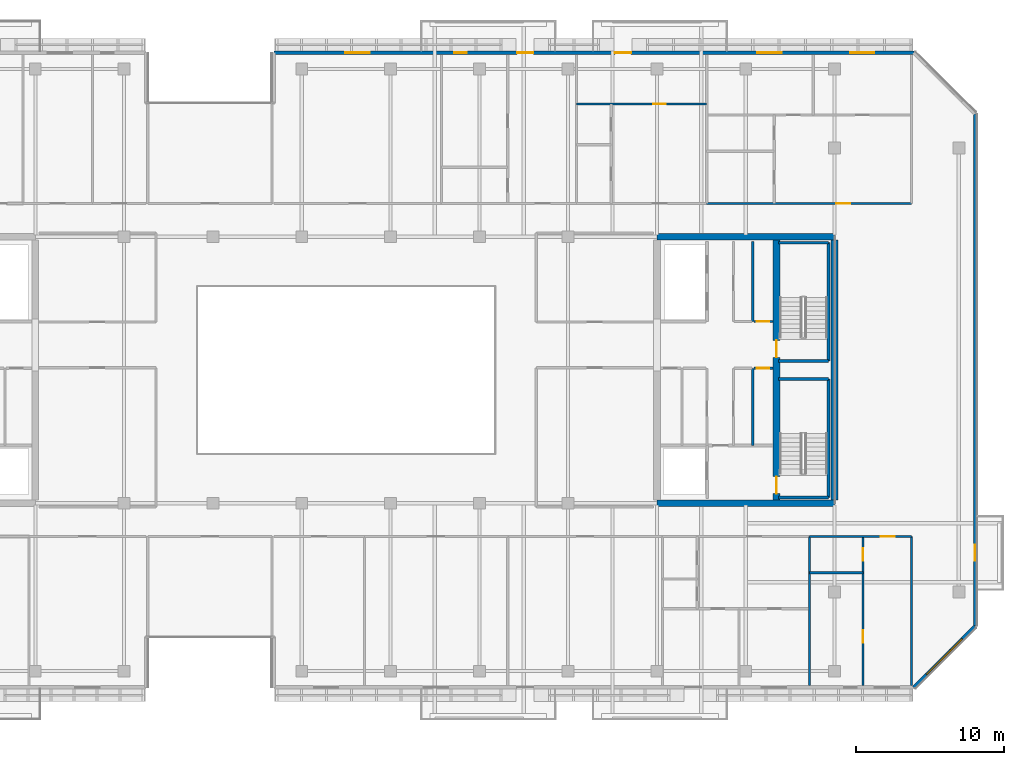
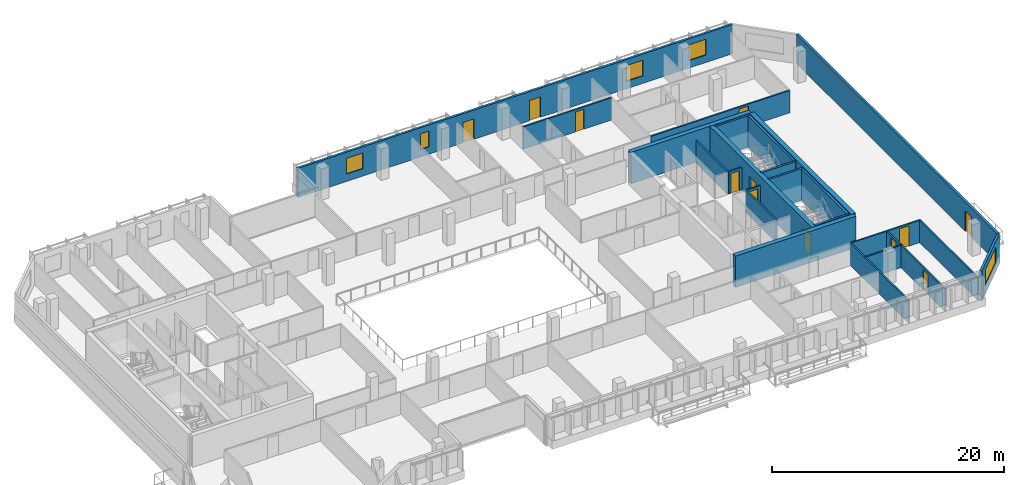
# One storey, part 14 of 22: 24 walls, 12 doors, 5 windows, 17 openings.
"""IFC4 building model written with IfcOpenShell, lengths in metres."""

from ifc_helpers import new_model, si_unit, direction, frame, frame_2d, origin, place, context, subcontext, project, spatial, rectangle, extrude, material, layer, layer_set, type_object, element, fill, save


model = new_model("IFC4")

# Units and contexts
model_context = context("Model", 3, precision=1e-05, world=origin(), true_north=direction((0.0, 1.0)))
body_context = subcontext(model_context, "Body", "Model", "MODEL_VIEW")
ifc_project = project(units=[si_unit("LENGTHUNIT", "METRE"), si_unit("AREAUNIT", "SQUARE_METRE"), si_unit("VOLUMEUNIT", "CUBIC_METRE"), si_unit("PLANEANGLEUNIT", "RADIAN"), si_unit("MASSUNIT", "GRAM", prefix="KILO")], contexts=[model_context])

# Site, building, storey
site_placement = place(None, origin())
site = spatial("IfcSite", under=ifc_project, at=site_placement, CompositionType="ELEMENT")
building_placement = place(site_placement, origin())
building = spatial("IfcBuilding", under=site, at=building_placement, Name="Tanjung Sevakor Pilgrim Tower", CompositionType="ELEMENT")
storey_placement = place(building_placement, frame((0.0, 0.0, 195.030029296875)))
storey = spatial("IfcBuildingStorey", under=building, at=storey_placement, Name="L54", CompositionType="ELEMENT", Elevation=195.030029296875)

# Walls
ifc_material_1 = material(Name="Concrete C60/75", Category="concrete")
ifc_layer_1 = layer(ifc_material_1, 0.449951171875)
ifc_layer_set_1 = layer_set([ifc_layer_1], Name="WALL-CW-450")
wall_type_1 = type_object("IfcWallType", Name="WALL-CW-450", PredefinedType="SHEAR", material=ifc_layer_set_1)
for number, where, z_axis, x_axis, name in (
    (1, (78.0, 24.60009765625, 0.0), (0.0, 0.0, 1.0), (1.0, 0.0, 0.0), "L54 E Core South Shear Wall"),
    (2, (90.0, 42.60009765625, 0.0), (0.0, 0.0, 1.0), (-1.0, 0.0, 0.0), "L54 E Core North Shear Wall"),
):
    element("IfcWall", number, at=place(storey_placement, frame(where, z_axis=z_axis, x_axis=x_axis)), inside=storey, type_object=wall_type_1, Name=name, PredefinedType="SHEAR", context=body_context, shape_type="SweptSolid", body=[
        extrude(rectangle(XDim=12.0, YDim=0.449951171875, at=frame_2d((6.0, 0.0))), origin(), (0.0, 0.0, 1.0), 3.300048828125),
    ])
wall_1_placement = place(storey_placement, frame((90.0, 24.824951171875, 0.0), z_axis=(0.0, 0.0, 1.0), x_axis=(0.0, 1.0, 0.0)))
element("IfcWall", 3, at=wall_1_placement, inside=storey, type_object=wall_type_1, Name="L54 E Core Outer Shear Wall", PredefinedType="SHEAR", context=body_context, shape_type="SweptSolid", body=[
    extrude(rectangle(XDim=17.550048828125, YDim=0.449951171875, at=frame_2d((8.77490234375, 0.0))), origin(), (0.0, 0.0, 1.0), 3.300048828125),
])

# Wall, openings, doors
wall_2_placement = place(storey_placement, frame((86.074951171875, 24.824951171875, 0.0), z_axis=(0.0, 0.0, 1.0), x_axis=(0.0, 1.0, 0.0)))
wall_2 = element("IfcWall", 4, at=wall_2_placement, inside=storey, type_object=wall_type_1, Name="L54 E Core Stair Spine Wall", PredefinedType="SHEAR", context=body_context, shape_type="SweptSolid", body=[
    extrude(rectangle(XDim=17.550048828125, YDim=0.449951171875, at=frame_2d((8.77490234375, 0.0))), origin(), (0.0, 0.0, 1.0), 3.300048828125),
])
opening_1_placement = place(wall_2_placement, frame((0.425048828125, 0.0, 0.0)))
opening_1 = element("IfcOpeningElement", 5, at=opening_1_placement, cuts=wall_2, Name="Opening ID-ST1", PredefinedType="OPENING", context=body_context, shape_type="SweptSolid", body=[
    extrude(rectangle(XDim=1.14990234375, YDim=2.14990234375, at=frame_2d((0.574951171875, 1.074951171875))), frame((0.0, 0.23486328125, 0.0), z_axis=(0.0, -1.0, 0.0), x_axis=(1.0, 0.0, 0.0)), (0.0, 0.0, 1.0), 0.469970703125),
])
opening_2_placement = place(wall_2_placement, frame((9.625, 0.0, 0.0)))
opening_2 = element("IfcOpeningElement", 6, at=opening_2_placement, cuts=wall_2, Name="Opening ID-ST1", PredefinedType="OPENING", context=body_context, shape_type="SweptSolid", body=[
    extrude(rectangle(XDim=1.14990234375, YDim=2.14990234375, at=frame_2d((0.574951171875, 1.074951171875))), frame((0.0, 0.23486328125, 0.0), z_axis=(0.0, -1.0, 0.0), x_axis=(1.0, 0.0, 0.0)), (0.0, 0.0, 1.0), 0.469970703125),
])
ifc_material_2 = material(Name="Fire-Rated Steel S355J2", Category="steel")
door_type_1 = type_object("IfcDoorType", Name="DT-FIRE-1150", OperationType="NOTDEFINED", PredefinedType="DOOR", material=ifc_material_2)
door_1_placement = place(opening_1_placement, origin())
door_1 = element("IfcDoor", 7, at=door_1_placement, inside=storey, type_object=door_type_1, Name="L54 TS-E1 Stair Fire Door", OperationType="SINGLE_SWING_RIGHT", OverallHeight=2.14990234375, OverallWidth=1.14990234375, PredefinedType="DOOR", context=body_context, shape_type="SweptSolid", body=[
    extrude(rectangle(XDim=1.14990234375, YDim=2.14990234375, at=frame_2d((0.574951171875, 1.074951171875))), frame((0.0, 0.02490234375, 0.0), z_axis=(0.0, -1.0, 0.0), x_axis=(1.0, 0.0, 0.0)), (0.0, 0.0, 1.0), 0.050048828125),
])
fill(opening_1, door_1)
door_2_placement = place(opening_2_placement, origin())
door_2 = element("IfcDoor", 8, at=door_2_placement, inside=storey, type_object=door_type_1, Name="L54 TS-E2 Stair Fire Door", OperationType="SINGLE_SWING_LEFT", OverallHeight=2.14990234375, OverallWidth=1.14990234375, PredefinedType="DOOR", context=body_context, shape_type="SweptSolid", body=[
    extrude(rectangle(XDim=1.14990234375, YDim=2.14990234375, at=frame_2d((0.574951171875, 1.074951171875))), frame((0.0, 0.02490234375, 0.0), z_axis=(0.0, -1.0, 0.0), x_axis=(1.0, 0.0, 0.0)), (0.0, 0.0, 1.0), 0.050048828125),
])
fill(opening_2, door_2)

# Wall
ifc_material_3 = material(Name="Concrete C40/50", Category="concrete")
ifc_layer_2 = layer(ifc_material_3, 0.14990234375)
ifc_layer_set_2 = layer_set([ifc_layer_2], Name="WT-COMP-150")
wall_type_2 = type_object("IfcWallType", Name="WT-COMP-150", PredefinedType="SOLIDWALL", material=ifc_layer_set_2)
wall_3_placement = place(storey_placement, frame((84.47998046875, 28.5, 0.0), z_axis=(0.0, 0.0, 1.0), x_axis=(0.0, 1.0, 0.0)))
element("IfcWall", 9, at=wall_3_placement, inside=storey, type_object=wall_type_2, Name="L54 Partition IW-L54-019", PredefinedType="SOLIDWALL", context=body_context, shape_type="SweptSolid", body=[
    extrude(rectangle(XDim=5.219970703125, YDim=0.14990234375, at=frame_2d((2.60986328125, 0.0))), origin(), (0.0, 0.0, 1.0), 2.35009765625),
])

# Wall, opening, door
wall_4_placement = place(storey_placement, frame((84.550048828125, 33.719970703125, 0.0), z_axis=(0.0, 0.0, 1.0), x_axis=(1.0, 0.0, 0.0)))
wall_4 = element("IfcWall", 10, at=wall_4_placement, inside=storey, type_object=wall_type_2, Name="L54 Partition IW-L54-020", PredefinedType="SOLIDWALL", context=body_context, shape_type="SweptSolid", body=[
    extrude(rectangle(XDim=1.280029296875, YDim=0.14990234375, at=frame_2d((0.64013671875, 0.0))), origin(), (0.0, 0.0, 1.0), 2.35009765625),
])
opening_3_placement = place(wall_4_placement, frame((0.179931640625, 0.0, 0.0)))
opening_3 = element("IfcOpeningElement", 11, at=opening_3_placement, cuts=wall_4, Name="Opening ID-FD3", PredefinedType="OPENING", context=body_context, shape_type="SweptSolid", body=[
    extrude(rectangle(XDim=0.85009765625, YDim=2.10009765625, at=frame_2d((0.425048828125, 1.050048828125))), frame((0.0, 0.0849609375, 0.0), z_axis=(0.0, -1.0, 0.0), x_axis=(1.0, 0.0, 0.0)), (0.0, 0.0, 1.0), 0.169921875),
])
ifc_material_4 = material(Name="Fire-Rated Timber", Category="wood")
door_type_2 = type_object("IfcDoorType", Name="DT-FIRE-850", OperationType="NOTDEFINED", PredefinedType="DOOR", material=ifc_material_4)
door_3_placement = place(opening_3_placement, origin())
door_3 = element("IfcDoor", 12, at=door_3_placement, inside=storey, type_object=door_type_2, Name="L54 Cleaner Store Door", OperationType="SINGLE_SWING_RIGHT", OverallHeight=2.10009765625, OverallWidth=0.85009765625, PredefinedType="DOOR", context=body_context, shape_type="SweptSolid", body=[
    extrude(rectangle(XDim=0.85009765625, YDim=2.10009765625, at=frame_2d((0.425048828125, 1.050048828125))), frame((0.0, 0.02490234375, 0.0), z_axis=(0.0, -1.0, 0.0), x_axis=(1.0, 0.0, 0.0)), (0.0, 0.0, 1.0), 0.050048828125),
])
fill(opening_3, door_3)

# Wall
wall_5_placement = place(storey_placement, frame((84.47998046875, 36.8798828125, 0.0), z_axis=(0.0, 0.0, 1.0), x_axis=(0.0, 1.0, 0.0)))
element("IfcWall", 13, at=wall_5_placement, inside=storey, type_object=wall_type_2, Name="L54 Partition IW-L54-027", PredefinedType="SOLIDWALL", context=body_context, shape_type="SweptSolid", body=[
    extrude(rectangle(XDim=5.420166015625, YDim=0.14990234375, at=frame_2d((2.7099609375, 0.0))), origin(), (0.0, 0.0, 1.0), 2.35009765625),
])

# Wall, opening, door
wall_6_placement = place(storey_placement, frame((84.550048828125, 36.8798828125, 0.0), z_axis=(0.0, 0.0, 1.0), x_axis=(1.0, 0.0, 0.0)))
wall_6 = element("IfcWall", 14, at=wall_6_placement, inside=storey, type_object=wall_type_2, Name="L54 Partition IW-L54-028", PredefinedType="SOLIDWALL", context=body_context, shape_type="SweptSolid", body=[
    extrude(rectangle(XDim=1.280029296875, YDim=0.14990234375, at=frame_2d((0.64013671875, 0.0))), origin(), (0.0, 0.0, 1.0), 2.35009765625),
])
opening_4_placement = place(wall_6_placement, frame((0.179931640625, 0.0, 0.0)))
opening_4 = element("IfcOpeningElement", 15, at=opening_4_placement, cuts=wall_6, Name="Opening ID-FD3", PredefinedType="OPENING", context=body_context, shape_type="SweptSolid", body=[
    extrude(rectangle(XDim=0.85009765625, YDim=2.10009765625, at=frame_2d((0.425048828125, 1.050048828125))), frame((0.0, 0.0849609375, 0.0), z_axis=(0.0, -1.0, 0.0), x_axis=(1.0, 0.0, 0.0)), (0.0, 0.0, 1.0), 0.169921875),
])
door_4_placement = place(opening_4_placement, origin())
door_4 = element("IfcDoor", 16, at=door_4_placement, inside=storey, type_object=door_type_2, Name="L54 Service Store Door", OperationType="SINGLE_SWING_RIGHT", OverallHeight=2.10009765625, OverallWidth=0.85009765625, PredefinedType="DOOR", context=body_context, shape_type="SweptSolid", body=[
    extrude(rectangle(XDim=0.85009765625, YDim=2.10009765625, at=frame_2d((0.425048828125, 1.050048828125))), frame((0.0, 0.02490234375, 0.0), z_axis=(0.0, -1.0, 0.0), x_axis=(1.0, 0.0, 0.0)), (0.0, 0.0, 1.0), 0.050048828125),
])
fill(opening_4, door_4)

# Walls
for number, where, z_axis, x_axis, name in (
    (17, (95.199951171875, 12.27001953125, 0.0), (0.0, 0.0, 1.0), (0.0, 1.0, 0.0), "L54 Partition IW-L54-055"),
    (18, (88.3173828125, 12.27001953125, 0.0), (0.0, 0.0, 1.0), (0.0, 1.0, 0.0), "L54 Partition IW-L54-062"),
):
    element("IfcWall", number, at=place(storey_placement, frame(where, z_axis=z_axis, x_axis=x_axis)), inside=storey, type_object=wall_type_2, Name=name, PredefinedType="SOLIDWALL", context=body_context, shape_type="SweptSolid", body=[
        extrude(rectangle(XDim=10.080078125, YDim=0.14990234375, at=frame_2d((5.0400390625, 0.0))), origin(), (0.0, 0.0, 1.0), 2.35009765625),
    ])

# Wall, opening, door
wall_7_placement = place(storey_placement, frame((88.3173828125, 22.35009765625, 0.0), z_axis=(0.0, 0.0, 1.0), x_axis=(1.0, 0.0, 0.0)))
wall_7 = element("IfcWall", 19, at=wall_7_placement, inside=storey, type_object=wall_type_2, Name="L54 Partition IW-L54-070", PredefinedType="SOLIDWALL", context=body_context, shape_type="SweptSolid", body=[
    extrude(rectangle(XDim=6.882568359375, YDim=0.14990234375, at=frame_2d((3.44140625, 0.0))), origin(), (0.0, 0.0, 1.0), 2.35009765625),
])
opening_5_placement = place(wall_7_placement, frame((4.8076171875, 0.0, 0.0)))
opening_5 = element("IfcOpeningElement", 20, at=opening_5_placement, cuts=wall_7, Name="Opening ID-FD2", PredefinedType="OPENING", context=body_context, shape_type="SweptSolid", body=[
    extrude(rectangle(XDim=0.949951171875, YDim=2.14990234375, at=frame_2d((0.47509765625, 1.074951171875))), frame((0.0, 0.0849609375, 0.0), z_axis=(0.0, -1.0, 0.0), x_axis=(1.0, 0.0, 0.0)), (0.0, 0.0, 1.0), 0.169921875),
])
ifc_material_5 = material(Name="Fire-Rated Timber", Category="wood")
door_type_3 = type_object("IfcDoorType", Name="DT-FIRE-950", OperationType="NOTDEFINED", PredefinedType="DOOR", material=ifc_material_5)
door_5_placement = place(opening_5_placement, origin())
door_5 = element("IfcDoor", 21, at=door_5_placement, inside=storey, type_object=door_type_3, Name="Hostel Quad Entrance", OperationType="SINGLE_SWING_RIGHT", OverallHeight=2.14990234375, OverallWidth=0.949951171875, PredefinedType="DOOR", context=body_context, shape_type="SweptSolid", body=[
    extrude(rectangle(XDim=0.949951171875, YDim=2.14990234375, at=frame_2d((0.47509765625, 1.074951171875))), frame((0.0, 0.02490234375, 0.0), z_axis=(0.0, -1.0, 0.0), x_axis=(1.0, 0.0, 0.0)), (0.0, 0.0, 1.0), 0.050048828125),
])
fill(opening_5, door_5)

wall_8_placement = place(storey_placement, frame((81.364013671875, 44.85009765625, 0.0), z_axis=(0.0, 0.0, 1.0), x_axis=(1.0, 0.0, 0.0)))
wall_8 = element("IfcWall", 22, at=wall_8_placement, inside=storey, type_object=wall_type_2, Name="L54 Partition IW-L54-097", PredefinedType="SOLIDWALL", context=body_context, shape_type="SweptSolid", body=[
    extrude(rectangle(XDim=13.8359375, YDim=0.14990234375, at=frame_2d((6.91796875, 0.0))), origin(), (0.0, 0.0, 1.0), 2.35009765625),
])
opening_6_placement = place(wall_8_placement, frame((8.760986328125, 0.0, 0.0)))
opening_6 = element("IfcOpeningElement", 23, at=opening_6_placement, cuts=wall_8, Name="Opening ID-FD2", PredefinedType="OPENING", context=body_context, shape_type="SweptSolid", body=[
    extrude(rectangle(XDim=0.949951171875, YDim=2.14990234375, at=frame_2d((0.47509765625, 1.074951171875))), frame((0.0, 0.0849609375, 0.0), z_axis=(0.0, -1.0, 0.0), x_axis=(1.0, 0.0, 0.0)), (0.0, 0.0, 1.0), 0.169921875),
])
door_6_placement = place(opening_6_placement, origin())
door_6 = element("IfcDoor", 24, at=door_6_placement, inside=storey, type_object=door_type_3, Name="Suite Entrance", OperationType="SINGLE_SWING_LEFT", OverallHeight=2.14990234375, OverallWidth=0.949951171875, PredefinedType="DOOR", context=body_context, shape_type="SweptSolid", body=[
    extrude(rectangle(XDim=0.949951171875, YDim=2.14990234375, at=frame_2d((0.47509765625, 1.074951171875))), frame((0.0, 0.02490234375, 0.0), z_axis=(0.0, -1.0, 0.0), x_axis=(1.0, 0.0, 0.0)), (0.0, 0.0, 1.0), 0.050048828125),
])
fill(opening_6, door_6)

# Wall, opening, window
ifc_material_6 = material(Name="Precast concrete C45/55", Category="concrete")
ifc_layer_3 = layer(ifc_material_6, 0.219970703125)
ifc_layer_set_3 = layer_set([ifc_layer_3], Name="WT-EW-STN4")
wall_type_3 = type_object("IfcWallType", Name="WT-EW-STN4", PredefinedType="SOLIDWALL", material=ifc_layer_set_3)
wall_9_placement = place(storey_placement, frame((95.3544921875, 12.159912109375, 0.0), z_axis=(0.0, 0.0, 1.0), x_axis=(0.707085909342, 0.707127652415, 0.0)))
wall_9 = element("IfcWall", 25, at=wall_9_placement, inside=storey, type_object=wall_type_3, Name="L54 MAIN Sculpted Corner Wall 5", PredefinedType="SOLIDWALL", context=body_context, shape_type="SweptSolid", body=[
    extrude(rectangle(XDim=5.8486328125, YDim=0.219970703125, at=frame_2d((2.92431640625, 0.0))), origin(), (0.0, 0.0, 1.0), 3.080078125),
])
opening_7_placement = place(wall_9_placement, frame((1.224365234375, 0.0, 0.780029296875)))
opening_7 = element("IfcOpeningElement", 26, at=opening_7_placement, cuts=wall_9, Name="Opening WN-CHM-1660", PredefinedType="OPENING", context=body_context, shape_type="SweptSolid", body=[
    extrude(rectangle(XDim=3.39990234375, YDim=1.659912109375, at=frame_2d((1.699951171875, 0.830078125))), frame((0.0, 0.119873046875, 0.0), z_axis=(0.0, -1.0, 0.0), x_axis=(1.0, 0.0, 0.0)), (0.0, 0.0, 1.0), 0.239990234375),
])
ifc_material_7 = material(Name="Thermally Broken Aluminium and Low-E Glass", Category="aluminium")
window_type_1 = type_object("IfcWindowType", Name="WTYP-WN-CHM-1660", PartitioningType="DOUBLE_PANEL_VERTICAL", PredefinedType="WINDOW", material=ifc_material_7)
window_1_placement = place(opening_7_placement, origin())
window_1 = element("IfcWindow", 27, at=window_1_placement, inside=storey, type_object=window_type_1, Name="L54 Facade Window 01", OverallHeight=1.659912109375, OverallWidth=3.39990234375, PartitioningType="SINGLE_PANEL", PredefinedType="WINDOW", context=body_context, shape_type="SweptSolid", body=[
    extrude(rectangle(XDim=3.39990234375, YDim=1.659912109375, at=frame_2d((1.699951171875, 0.830078125))), frame((0.0, 0.030029296875, 0.0), z_axis=(0.0, -1.0, 0.0), x_axis=(1.0, 0.0, 0.0)), (0.0, 0.0, 1.0), 0.06005859375),
])
fill(opening_7, window_1)

# Wall, opening, door
wall_10_placement = place(storey_placement, frame((99.489990234375, 16.295654296875, 0.0), z_axis=(0.0, 0.0, 1.0), x_axis=(0.0, 1.0, 0.0)))
wall_10 = element("IfcWall", 28, at=wall_10_placement, inside=storey, type_object=wall_type_3, Name="L54 MAIN Exterior Wall 7", PredefinedType="SOLIDWALL", context=body_context, shape_type="SweptSolid", body=[
    extrude(rectangle(XDim=34.608642578125, YDim=0.219970703125, at=frame_2d((17.30419921875, 0.0))), origin(), (0.0, 0.0, 1.0), 3.080078125),
])
opening_8_placement = place(wall_10_placement, frame((4.404296875, 0.0, 0.0)))
opening_8 = element("IfcOpeningElement", 29, at=opening_8_placement, cuts=wall_10, Name="Opening ED-BAL-1100", PredefinedType="OPENING", context=body_context, shape_type="SweptSolid", body=[
    extrude(rectangle(XDim=1.10009765625, YDim=2.14990234375, at=frame_2d((0.550048828125, 1.074951171875))), frame((0.0, 0.119873046875, 0.0), z_axis=(0.0, -1.0, 0.0), x_axis=(1.0, 0.0, 0.0)), (0.0, 0.0, 1.0), 0.239990234375),
])
ifc_material_8 = material(Name="Anodised Aluminium and Laminated Glass", Category="aluminium")
door_type_4 = type_object("IfcDoorType", Name="DTYP-ED-BAL-1100", OperationType="NOTDEFINED", PredefinedType="DOOR", material=ifc_material_8)
door_7_placement = place(opening_8_placement, frame((1.10009765625, 0.0, 0.0), z_axis=(0.0, 0.0, 1.0), x_axis=(-1.0, 0.0, 0.0)))
door_7 = element("IfcDoor", 30, at=door_7_placement, inside=storey, type_object=door_type_4, Name="L54 East Loggia Door MAIN-E1", OperationType="SINGLE_SWING_RIGHT", OverallHeight=2.14990234375, OverallWidth=1.10009765625, PredefinedType="DOOR", context=body_context, shape_type="SweptSolid", body=[
    extrude(rectangle(XDim=1.10009765625, YDim=2.14990234375, at=frame_2d((0.550048828125, 1.074951171875))), frame((0.0, 0.02490234375, 0.0), z_axis=(0.0, -1.0, 0.0), x_axis=(1.0, 0.0, 0.0)), (0.0, 0.0, 1.0), 0.050048828125),
])
fill(opening_8, door_7)

# Wall, openings, doors, windows
wall_11_placement = place(storey_placement, frame((95.3544921875, 55.0400390625, 0.0), z_axis=(0.0, 0.0, 1.0), x_axis=(-1.0, 0.0, 0.0)))
wall_11 = element("IfcWall", 31, at=wall_11_placement, inside=storey, type_object=wall_type_3, Name="L54 MAIN Exterior Wall 9", PredefinedType="SOLIDWALL", context=body_context, shape_type="SweptSolid", body=[
    extrude(rectangle(XDim=43.244384765625, YDim=0.219970703125, at=frame_2d((21.6220703125, 0.0))), origin(), (0.0, 0.0, 1.0), 3.080078125),
])
opening_9_placement = place(wall_11_placement, frame((25.704345703125, 0.0, 0.0)))
opening_9 = element("IfcOpeningElement", 32, at=opening_9_placement, cuts=wall_11, Name="Opening ED-BAL-1100", PredefinedType="OPENING", context=body_context, shape_type="SweptSolid", body=[
    extrude(rectangle(XDim=1.10009765625, YDim=2.14990234375, at=frame_2d((0.550048828125, 1.074951171875))), frame((0.0, 0.119873046875, 0.0), z_axis=(0.0, -1.0, 0.0), x_axis=(1.0, 0.0, 0.0)), (0.0, 0.0, 1.0), 0.239990234375),
])
opening_10_placement = place(wall_11_placement, frame((19.1044921875, 0.0, 0.0)))
opening_10 = element("IfcOpeningElement", 33, at=opening_10_placement, cuts=wall_11, Name="Opening ED-BAL-1100", PredefinedType="OPENING", context=body_context, shape_type="SweptSolid", body=[
    extrude(rectangle(XDim=1.10009765625, YDim=2.14990234375, at=frame_2d((0.550048828125, 1.074951171875))), frame((0.0, 0.119873046875, 0.0), z_axis=(0.0, -1.0, 0.0), x_axis=(1.0, 0.0, 0.0)), (0.0, 0.0, 1.0), 0.239990234375),
])
opening_11_placement = place(wall_11_placement, frame((36.749267578125, 0.0, 0.780029296875)))
opening_11 = element("IfcOpeningElement", 34, at=opening_11_placement, cuts=wall_11, Name="Opening WN-Z4-1660", PredefinedType="OPENING", context=body_context, shape_type="SweptSolid", body=[
    extrude(rectangle(XDim=1.64990234375, YDim=1.659912109375, at=frame_2d((0.824951171875, 0.830078125))), frame((0.0, 0.119873046875, 0.0), z_axis=(0.0, -1.0, 0.0), x_axis=(1.0, 0.0, 0.0)), (0.0, 0.0, 1.0), 0.239990234375),
])
opening_12_placement = place(wall_11_placement, frame((30.19921875, 0.0, 0.780029296875)))
opening_12 = element("IfcOpeningElement", 35, at=opening_12_placement, cuts=wall_11, Name="Opening WN-SLM", PredefinedType="OPENING", context=body_context, shape_type="SweptSolid", body=[
    extrude(rectangle(XDim=0.85009765625, YDim=1.64990234375, at=frame_2d((0.425048828125, 0.824951171875))), frame((0.0, 0.119873046875, 0.0), z_axis=(0.0, -1.0, 0.0), x_axis=(1.0, 0.0, 0.0)), (0.0, 0.0, 1.0), 0.239990234375),
])
opening_13_placement = place(wall_11_placement, frame((8.91796875, 0.0, 0.780029296875)))
opening_13 = element("IfcOpeningElement", 36, at=opening_13_placement, cuts=wall_11, Name="Opening WN-Z4-1660", PredefinedType="OPENING", context=body_context, shape_type="SweptSolid", body=[
    extrude(rectangle(XDim=1.64990234375, YDim=1.659912109375, at=frame_2d((0.824951171875, 0.830078125))), frame((0.0, 0.119873046875, 0.0), z_axis=(0.0, -1.0, 0.0), x_axis=(1.0, 0.0, 0.0)), (0.0, 0.0, 1.0), 0.239990234375),
])
opening_14_placement = place(wall_11_placement, frame((2.659912109375, 0.0, 0.780029296875)))
opening_14 = element("IfcOpeningElement", 37, at=opening_14_placement, cuts=wall_11, Name="Opening WN-Z4-1660", PredefinedType="OPENING", context=body_context, shape_type="SweptSolid", body=[
    extrude(rectangle(XDim=1.64990234375, YDim=1.659912109375, at=frame_2d((0.824951171875, 0.830078125))), frame((0.0, 0.119873046875, 0.0), z_axis=(0.0, -1.0, 0.0), x_axis=(1.0, 0.0, 0.0)), (0.0, 0.0, 1.0), 0.239990234375),
])
door_8_placement = place(opening_9_placement, frame((1.10009765625, 0.0, 0.0), z_axis=(0.0, 0.0, 1.0), x_axis=(-1.0, 0.0, 0.0)))
door_8 = element("IfcDoor", 38, at=door_8_placement, inside=storey, type_object=door_type_4, Name="L54 Balcony Door MAIN-N2", OperationType="SINGLE_SWING_LEFT", OverallHeight=2.14990234375, OverallWidth=1.10009765625, PredefinedType="DOOR", context=body_context, shape_type="SweptSolid", body=[
    extrude(rectangle(XDim=1.10009765625, YDim=2.14990234375, at=frame_2d((0.550048828125, 1.074951171875))), frame((0.0, 0.02490234375, 0.0), z_axis=(0.0, -1.0, 0.0), x_axis=(1.0, 0.0, 0.0)), (0.0, 0.0, 1.0), 0.050048828125),
])
fill(opening_9, door_8)
door_9_placement = place(opening_10_placement, frame((1.10009765625, 0.0, 0.0), z_axis=(0.0, 0.0, 1.0), x_axis=(-1.0, 0.0, 0.0)))
door_9 = element("IfcDoor", 39, at=door_9_placement, inside=storey, type_object=door_type_4, Name="L54 Balcony Door MAIN-N3", OperationType="SINGLE_SWING_RIGHT", OverallHeight=2.14990234375, OverallWidth=1.10009765625, PredefinedType="DOOR", context=body_context, shape_type="SweptSolid", body=[
    extrude(rectangle(XDim=1.10009765625, YDim=2.14990234375, at=frame_2d((0.550048828125, 1.074951171875))), frame((0.0, 0.02490234375, 0.0), z_axis=(0.0, -1.0, 0.0), x_axis=(1.0, 0.0, 0.0)), (0.0, 0.0, 1.0), 0.050048828125),
])
fill(opening_10, door_9)
ifc_material_9 = material(Name="Thermally Broken Aluminium and Low-E Glass", Category="aluminium")
window_type_2 = type_object("IfcWindowType", Name="WTYP-WN-SLM", PartitioningType="SINGLE_PANEL", PredefinedType="WINDOW", material=ifc_material_9)
window_2_placement = place(opening_12_placement, origin())
window_2 = element("IfcWindow", 40, at=window_2_placement, inside=storey, type_object=window_type_2, Name="L54 Facade Window 02", OverallHeight=1.64990234375, OverallWidth=0.85009765625, PartitioningType="SINGLE_PANEL", PredefinedType="WINDOW", context=body_context, shape_type="SweptSolid", body=[
    extrude(rectangle(XDim=0.85009765625, YDim=1.64990234375, at=frame_2d((0.425048828125, 0.824951171875))), frame((0.0, 0.030029296875, 0.0), z_axis=(0.0, -1.0, 0.0), x_axis=(1.0, 0.0, 0.0)), (0.0, 0.0, 1.0), 0.06005859375),
])
fill(opening_12, window_2)
ifc_material_10 = material(Name="Thermally Broken Aluminium and Low-E Glass", Category="aluminium")
window_type_3 = type_object("IfcWindowType", Name="WTYP-WN-Z4-1660", PartitioningType="DOUBLE_PANEL_VERTICAL", PredefinedType="WINDOW", material=ifc_material_10)
window_3_placement = place(opening_11_placement, origin())
window_3 = element("IfcWindow", 41, at=window_3_placement, inside=storey, type_object=window_type_3, Name="L54 Facade Window 01", OverallHeight=1.659912109375, OverallWidth=1.64990234375, PartitioningType="SINGLE_PANEL", PredefinedType="WINDOW", context=body_context, shape_type="SweptSolid", body=[
    extrude(rectangle(XDim=1.64990234375, YDim=1.659912109375, at=frame_2d((0.824951171875, 0.830078125))), frame((0.0, 0.030029296875, 0.0), z_axis=(0.0, -1.0, 0.0), x_axis=(1.0, 0.0, 0.0)), (0.0, 0.0, 1.0), 0.06005859375),
])
fill(opening_11, window_3)
window_4_placement = place(opening_13_placement, origin())
window_4 = element("IfcWindow", 42, at=window_4_placement, inside=storey, type_object=window_type_3, Name="L54 Facade Window 03", OverallHeight=1.659912109375, OverallWidth=1.64990234375, PartitioningType="SINGLE_PANEL", PredefinedType="WINDOW", context=body_context, shape_type="SweptSolid", body=[
    extrude(rectangle(XDim=1.64990234375, YDim=1.659912109375, at=frame_2d((0.824951171875, 0.830078125))), frame((0.0, 0.030029296875, 0.0), z_axis=(0.0, -1.0, 0.0), x_axis=(1.0, 0.0, 0.0)), (0.0, 0.0, 1.0), 0.06005859375),
])
fill(opening_13, window_4)
window_5_placement = place(opening_14_placement, origin())
window_5 = element("IfcWindow", 43, at=window_5_placement, inside=storey, type_object=window_type_3, Name="L54 Facade Window 04", OverallHeight=1.659912109375, OverallWidth=1.64990234375, PartitioningType="SINGLE_PANEL", PredefinedType="WINDOW", context=body_context, shape_type="SweptSolid", body=[
    extrude(rectangle(XDim=1.64990234375, YDim=1.659912109375, at=frame_2d((0.824951171875, 0.830078125))), frame((0.0, 0.030029296875, 0.0), z_axis=(0.0, -1.0, 0.0), x_axis=(1.0, 0.0, 0.0)), (0.0, 0.0, 1.0), 0.06005859375),
])
fill(opening_14, window_5)

# Walls
ifc_material_11 = material(Name="Concrete C40/50", Category="concrete")
ifc_layer_4 = layer(ifc_material_11, 0.199951171875)
ifc_layer_set_4 = layer_set([ifc_layer_4], Name="WT-FIRE-200")
wall_type_4 = type_object("IfcWallType", Name="WT-FIRE-200", PredefinedType="SOLIDWALL", material=ifc_layer_set_4)
wall_12_placement = place(storey_placement, frame((86.199951171875, 25.0, 0.0), z_axis=(0.0, 0.0, 1.0), x_axis=(1.0, 0.0, 0.0)))
element("IfcWall", 44, at=wall_12_placement, inside=storey, type_object=wall_type_4, Name="L54 TS-E1 Shaft Wall 1", PredefinedType="SOLIDWALL", context=body_context, shape_type="SweptSolid", body=[
    extrude(rectangle(XDim=3.400146484375, YDim=0.199951171875, at=frame_2d((1.7001953125, 0.0))), origin(), (0.0, 0.0, 1.0), 3.300048828125),
])
wall_13_placement = place(storey_placement, frame((89.60009765625, 25.0, 0.0), z_axis=(0.0, 0.0, 1.0), x_axis=(0.0, 1.0, 0.0)))
element("IfcWall", 45, at=wall_13_placement, inside=storey, type_object=wall_type_4, Name="L54 TS-E1 Shaft Wall 2", PredefinedType="SOLIDWALL", context=body_context, shape_type="SweptSolid", body=[
    extrude(rectangle(XDim=8.0, YDim=0.199951171875, at=frame_2d((4.0, 0.0))), origin(), (0.0, 0.0, 1.0), 3.300048828125),
])
for number, where, z_axis, x_axis, name in (
    (46, (89.60009765625, 33.0, 0.0), (0.0, 0.0, 1.0), (-1.0, 0.0, 0.0), "L54 TS-E1 Shaft Wall 3"),
    (47, (86.199951171875, 34.199951171875, 0.0), (0.0, 0.0, 1.0), (1.0, 0.0, 0.0), "L54 TS-E2 Shaft Wall 1"),
):
    element("IfcWall", number, at=place(storey_placement, frame(where, z_axis=z_axis, x_axis=x_axis)), inside=storey, type_object=wall_type_4, Name=name, PredefinedType="SOLIDWALL", context=body_context, shape_type="SweptSolid", body=[
        extrude(rectangle(XDim=3.400146484375, YDim=0.199951171875, at=frame_2d((1.7001953125, 0.0))), origin(), (0.0, 0.0, 1.0), 3.300048828125),
    ])
wall_14_placement = place(storey_placement, frame((89.60009765625, 34.199951171875, 0.0), z_axis=(0.0, 0.0, 1.0), x_axis=(0.0, 1.0, 0.0)))
element("IfcWall", 48, at=wall_14_placement, inside=storey, type_object=wall_type_4, Name="L54 TS-E2 Shaft Wall 2", PredefinedType="SOLIDWALL", context=body_context, shape_type="SweptSolid", body=[
    extrude(rectangle(XDim=8.0, YDim=0.199951171875, at=frame_2d((4.0, 0.0))), origin(), (0.0, 0.0, 1.0), 3.300048828125),
])
wall_15_placement = place(storey_placement, frame((89.60009765625, 42.199951171875, 0.0), z_axis=(0.0, 0.0, 1.0), x_axis=(-1.0, 0.0, 0.0)))
element("IfcWall", 49, at=wall_15_placement, inside=storey, type_object=wall_type_4, Name="L54 TS-E2 Shaft Wall 3", PredefinedType="SOLIDWALL", context=body_context, shape_type="SweptSolid", body=[
    extrude(rectangle(XDim=3.400146484375, YDim=0.199951171875, at=frame_2d((1.7001953125, 0.0))), origin(), (0.0, 0.0, 1.0), 3.300048828125),
])
ifc_material_12 = material(Name="Gypsum Board Partition", Category="gypsum board")
ifc_layer_5 = layer(ifc_material_12, 0.14990234375)
ifc_layer_set_5 = layer_set([ifc_layer_5], Name="WT-PART-150")
wall_type_5 = type_object("IfcWallType", Name="WT-PART-150", PredefinedType="PARTITIONING", material=ifc_layer_set_5)
wall_16_placement = place(storey_placement, frame((88.3173828125, 19.89990234375, 0.0), z_axis=(0.0, 0.0, 1.0), x_axis=(1.0, 0.0, 0.0)))
element("IfcWall", 50, at=wall_16_placement, inside=storey, type_object=wall_type_5, Name="L54 Partition IW-L54-068", PredefinedType="PARTITIONING", context=body_context, shape_type="SweptSolid", body=[
    extrude(rectangle(XDim=3.6025390625, YDim=0.14990234375, at=frame_2d((1.80126953125, 0.0))), origin(), (0.0, 0.0, 1.0), 2.35009765625),
])

# Wall, openings, doors
wall_17_placement = place(storey_placement, frame((91.919921875, 12.27001953125, 0.0), z_axis=(0.0, 0.0, 1.0), x_axis=(0.0, 1.0, 0.0)))
wall_17 = element("IfcWall", 51, at=wall_17_placement, inside=storey, type_object=wall_type_5, Name="L54 Partition IW-L54-069", PredefinedType="PARTITIONING", context=body_context, shape_type="SweptSolid", body=[
    extrude(rectangle(XDim=10.080078125, YDim=0.14990234375, at=frame_2d((5.0400390625, 0.0))), origin(), (0.0, 0.0, 1.0), 2.35009765625),
])
opening_15_placement = place(wall_17_placement, frame((2.912109375, 0.0, 0.0)))
opening_15 = element("IfcOpeningElement", 52, at=opening_15_placement, cuts=wall_17, Name="Opening ID-WC1", PredefinedType="OPENING", context=body_context, shape_type="SweptSolid", body=[
    extrude(rectangle(XDim=0.85009765625, YDim=2.10009765625, at=frame_2d((0.425048828125, 1.050048828125))), frame((0.0, 0.0849609375, 0.0), z_axis=(0.0, -1.0, 0.0), x_axis=(1.0, 0.0, 0.0)), (0.0, 0.0, 1.0), 0.169921875),
])
opening_16_placement = place(wall_17_placement, frame((8.429931640625, 0.0, 0.0)))
opening_16 = element("IfcOpeningElement", 53, at=opening_16_placement, cuts=wall_17, Name="Opening ID-WC1", PredefinedType="OPENING", context=body_context, shape_type="SweptSolid", body=[
    extrude(rectangle(XDim=0.85009765625, YDim=2.10009765625, at=frame_2d((0.425048828125, 1.050048828125))), frame((0.0, 0.0849609375, 0.0), z_axis=(0.0, -1.0, 0.0), x_axis=(1.0, 0.0, 0.0)), (0.0, 0.0, 1.0), 0.169921875),
])
ifc_material_13 = material(Name="Moisture-Resistant Timber", Category="wood")
door_type_5 = type_object("IfcDoorType", Name="DT-INT-850", OperationType="NOTDEFINED", PredefinedType="DOOR", material=ifc_material_13)
door_10_placement = place(opening_15_placement, origin())
door_10 = element("IfcDoor", 54, at=door_10_placement, inside=storey, type_object=door_type_5, Name="Study Nook Door", OperationType="SINGLE_SWING_RIGHT", OverallHeight=2.10009765625, OverallWidth=0.85009765625, PredefinedType="DOOR", context=body_context, shape_type="SweptSolid", body=[
    extrude(rectangle(XDim=0.85009765625, YDim=2.10009765625, at=frame_2d((0.425048828125, 1.050048828125))), frame((0.0, 0.02490234375, 0.0), z_axis=(0.0, -1.0, 0.0), x_axis=(1.0, 0.0, 0.0)), (0.0, 0.0, 1.0), 0.050048828125),
])
fill(opening_15, door_10)
door_11_placement = place(opening_16_placement, origin())
door_11 = element("IfcDoor", 55, at=door_11_placement, inside=storey, type_object=door_type_5, Name="Bathroom Door", OperationType="SINGLE_SWING_LEFT", OverallHeight=2.10009765625, OverallWidth=0.85009765625, PredefinedType="DOOR", context=body_context, shape_type="SweptSolid", body=[
    extrude(rectangle(XDim=0.85009765625, YDim=2.10009765625, at=frame_2d((0.425048828125, 1.050048828125))), frame((0.0, 0.02490234375, 0.0), z_axis=(0.0, -1.0, 0.0), x_axis=(1.0, 0.0, 0.0)), (0.0, 0.0, 1.0), 0.050048828125),
])
fill(opening_16, door_11)

# Wall, opening, door
wall_18_placement = place(storey_placement, frame((72.559326171875, 51.57958984375, 0.0), z_axis=(0.0, 0.0, 1.0), x_axis=(1.0, 0.0, 0.0)))
wall_18 = element("IfcWall", 56, at=wall_18_placement, inside=storey, type_object=wall_type_5, Name="L54 Partition IW-L54-091", PredefinedType="PARTITIONING", context=body_context, shape_type="SweptSolid", body=[
    extrude(rectangle(XDim=8.8046875, YDim=0.14990234375, at=frame_2d((4.40234375, 0.0))), origin(), (0.0, 0.0, 1.0), 2.35009765625),
])
opening_17_placement = place(wall_18_placement, frame((5.1923828125, 0.0, 0.0)))
opening_17 = element("IfcOpeningElement", 57, at=opening_17_placement, cuts=wall_18, Name="Opening ID-WC1", PredefinedType="OPENING", context=body_context, shape_type="SweptSolid", body=[
    extrude(rectangle(XDim=0.85009765625, YDim=2.10009765625, at=frame_2d((0.425048828125, 1.050048828125))), frame((0.0, 0.0849609375, 0.0), z_axis=(0.0, -1.0, 0.0), x_axis=(1.0, 0.0, 0.0)), (0.0, 0.0, 1.0), 0.169921875),
])
door_12_placement = place(opening_17_placement, origin())
door_12 = element("IfcDoor", 58, at=door_12_placement, inside=storey, type_object=door_type_5, Name="Residence Bedroom Door", OperationType="SINGLE_SWING_LEFT", OverallHeight=2.10009765625, OverallWidth=0.85009765625, PredefinedType="DOOR", context=body_context, shape_type="SweptSolid", body=[
    extrude(rectangle(XDim=0.85009765625, YDim=2.10009765625, at=frame_2d((0.425048828125, 1.050048828125))), frame((0.0, 0.02490234375, 0.0), z_axis=(0.0, -1.0, 0.0), x_axis=(1.0, 0.0, 0.0)), (0.0, 0.0, 1.0), 0.050048828125),
])
fill(opening_17, door_12)

save(model, "model.ifc")
